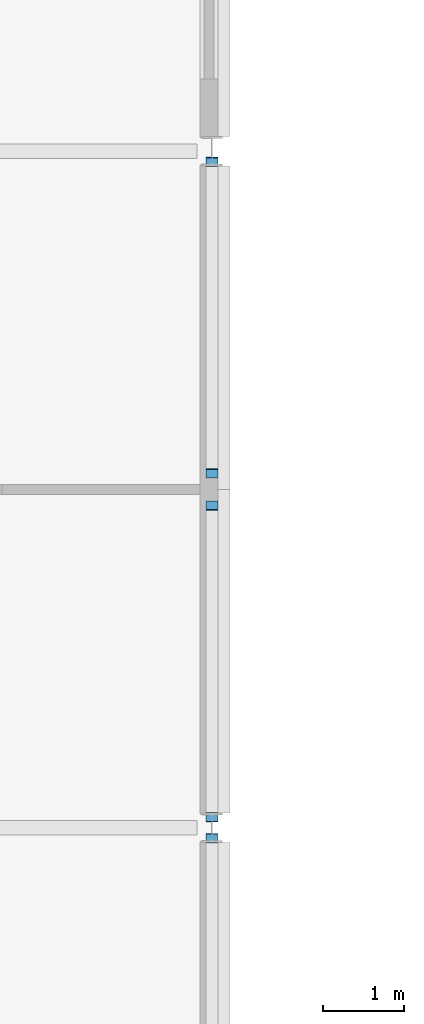
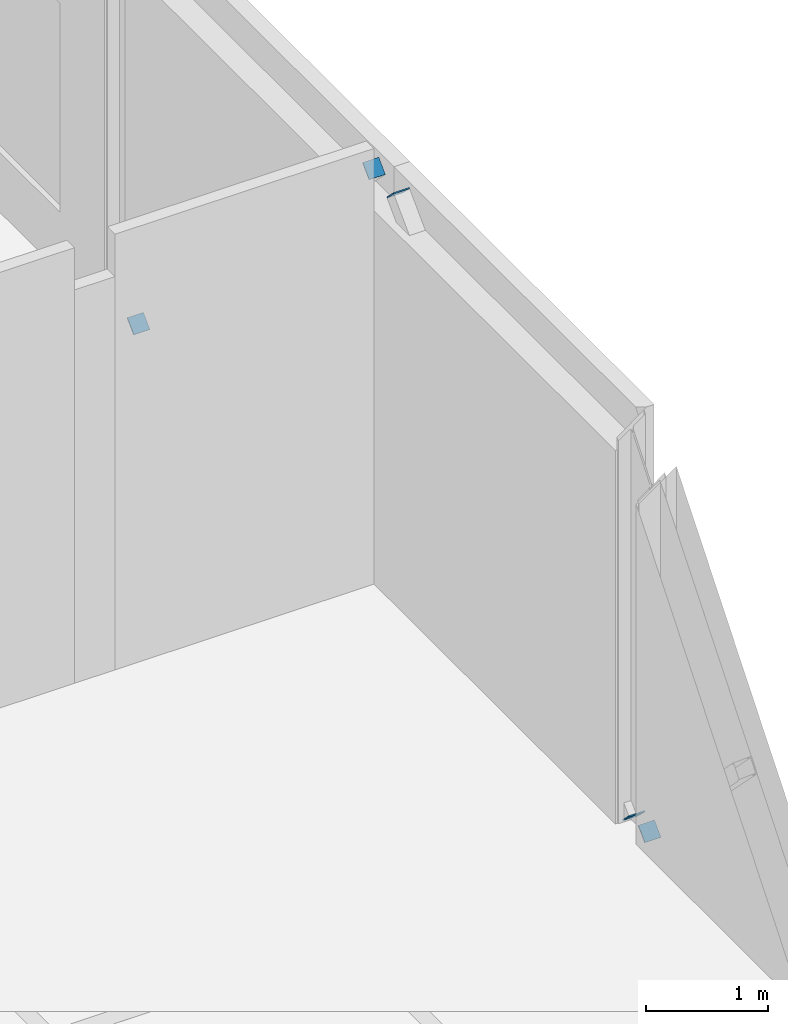
# One storey, part 22 of 26: 5 discrete accessories.
"""IFC4 building model written with IfcOpenShell, lengths in metres."""

from ifc_helpers import new_model, si_unit, direction, frame, origin, origin_2d, place, context, subcontext, project, spatial, rectangle, extrude, material, element, save


model = new_model("IFC4")

# Units and contexts
model_context = context("Model", 3, precision=1e-05, world=origin(), true_north=direction((0.0, 1.0)))
body_context = subcontext(model_context, "Body", "Model", "MODEL_VIEW")
ifc_project = project(units=[si_unit("LENGTHUNIT", "METRE"), si_unit("AREAUNIT", "SQUARE_METRE"), si_unit("VOLUMEUNIT", "CUBIC_METRE"), si_unit("PLANEANGLEUNIT", "RADIAN"), si_unit("MASSUNIT", "GRAM", prefix="KILO")], contexts=[model_context])

# Site, building, storey
site_placement = place(None, origin())
site = spatial("IfcSite", under=ifc_project, at=site_placement, CompositionType="ELEMENT")
building_placement = place(site_placement, origin())
building = spatial("IfcBuilding", under=site, at=building_placement, Name="Hlaing Beacon Police Headquarters", CompositionType="ELEMENT")
storey_placement = place(building_placement, frame((0.0, 0.0, 23.39990234375)))
storey = spatial("IfcBuildingStorey", under=building, at=storey_placement, Name="L05", CompositionType="ELEMENT", Elevation=23.39990234375)

# Discrete accessories
ifc_material = material(Name="Steel ASTM A572 Grade 50", Category="steel")
for number, where, z_axis, x_axis, name in (
    (1, (33.60009765625, 50.265869140625, 0.058349609375), (0.0, 0.704124468733, -0.710076568077), (-1.0, 0.0, 0.0), "Gusset plate GP-203"),
    (2, (33.60009765625, 50.5341796875, 0.058349609375), (0.0, -0.70410207141, -0.710098776958), (1.0, 0.0, 0.0), "Gusset plate GP-205"),
    (3, (33.60009765625, 54.3955078125, 3.95263671875), (0.0, 0.70410207141, 0.710098776958), (-1.0, 0.0, 0.0), "Gusset plate GP-206"),
    (4, (33.60009765625, 58.665771484375, 0.058349609375), (0.0, 0.70410207141, -0.710098776958), (-1.0, 0.0, 0.0), "Gusset plate GP-207"),
    (5, (33.60009765625, 54.804443359375, 3.95263671875), (0.0, -0.70410207141, 0.710098776958), (1.0, 0.0, 0.0), "Gusset plate GP-208"),
):
    element("IfcDiscreteAccessory", number, at=place(storey_placement, frame(where, z_axis=z_axis, x_axis=x_axis)), inside=storey, material=ifc_material, Name=name, PredefinedType="BRACKET", context=body_context, shape_type="SweptSolid", body=[
        extrude(rectangle(XDim=0.15234375, YDim=0.15234375, at=origin_2d()), origin(), (0.0, 0.0, 1.0), 0.011962890625),
    ])

save(model, "model.ifc")
